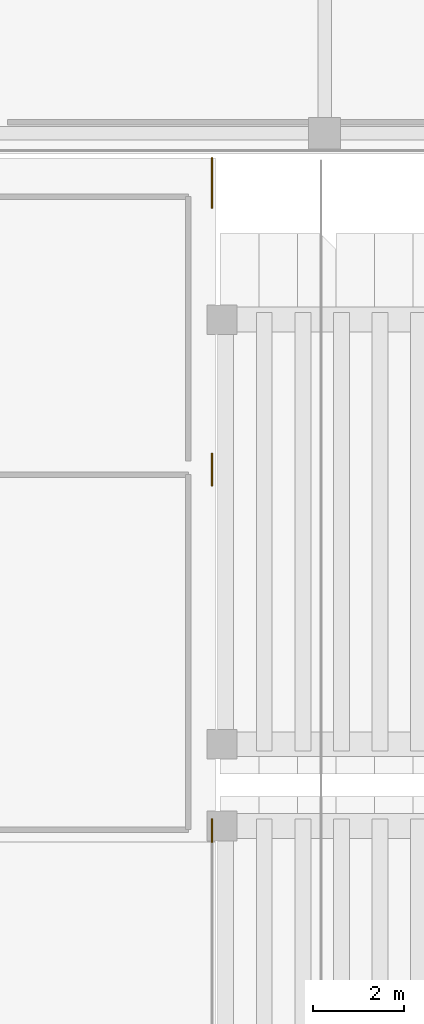
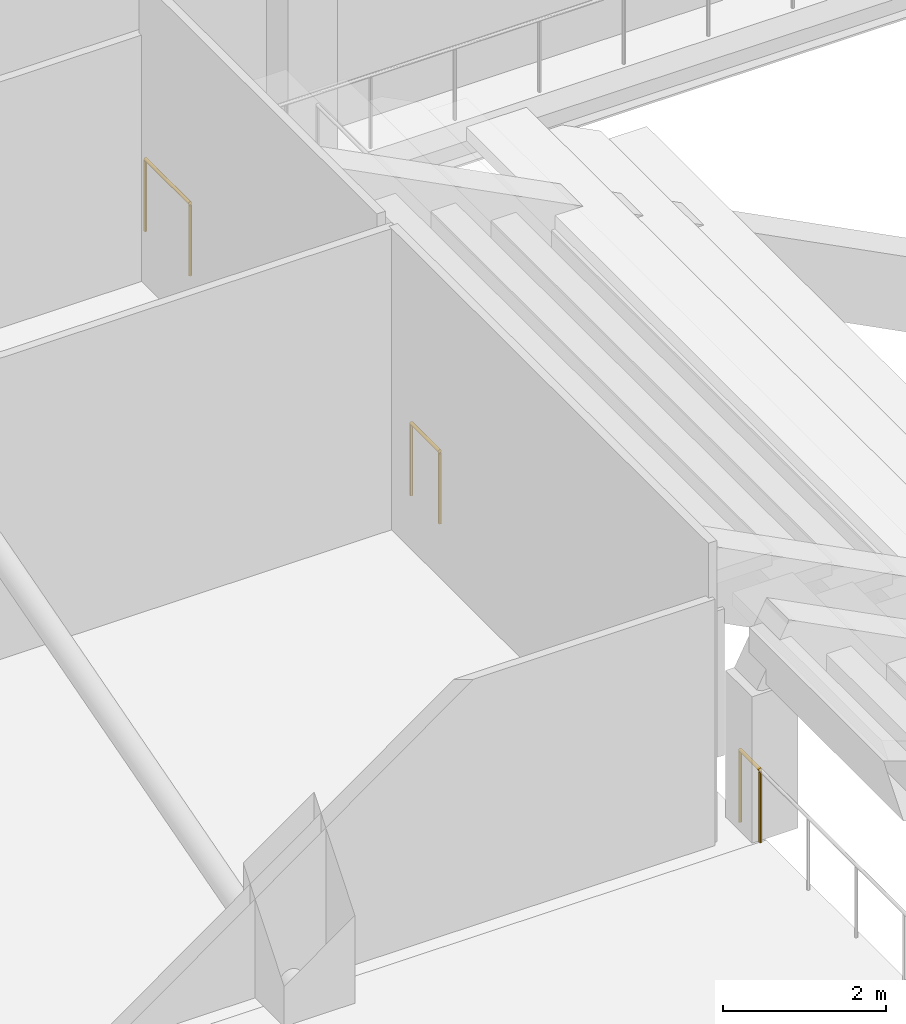
# One storey, part 62 of 74: 3 railings.
"""IFC4 building model written with IfcOpenShell, lengths in metres."""

from ifc_helpers import new_model, si_unit, direction, frame, origin, origin_2d, place, context, subcontext, project, spatial, circle, extrude, material, type_object, element, save


model = new_model("IFC4")

# Units and contexts
model_context = context("Model", 3, precision=1e-05, world=origin(), true_north=direction((0.0, 1.0)))
body_context = subcontext(model_context, "Body", "Model", "MODEL_VIEW")
ifc_project = project(units=[si_unit("LENGTHUNIT", "METRE"), si_unit("AREAUNIT", "SQUARE_METRE"), si_unit("VOLUMEUNIT", "CUBIC_METRE"), si_unit("PLANEANGLEUNIT", "RADIAN"), si_unit("MASSUNIT", "GRAM", prefix="KILO")], contexts=[model_context])

# Site, building, storey
site_placement = place(None, origin())
site = spatial("IfcSite", under=ifc_project, at=site_placement, CompositionType="ELEMENT")
building_placement = place(site_placement, origin())
building = spatial("IfcBuilding", under=site, at=building_placement, Name="Koshinbarg Plaza Stadium", CompositionType="ELEMENT")
storey_placement = place(building_placement, frame((0.0, 0.0, 15.0)))
storey = spatial("IfcBuildingStorey", under=building, at=storey_placement, Name="L03", CompositionType="ELEMENT", Elevation=15.0)

# Railings
ifc_material = material(Name="Toughened laminated glass and stainless steel sightline balustrade", Category="steel")
railing_type = type_object("IfcRailingType", Name="RL-BOWL-1100", PredefinedType="BALUSTRADE", material=ifc_material)
railing_1_placement = place(storey_placement, frame((61.1201171875, 126.955078125, 0.0)))
element("IfcRailing", 1, at=railing_1_placement, inside=storey, type_object=railing_type, Name="L03 deck edge safety balustrade 0232", PredefinedType="BALUSTRADE", context=body_context, shape_type="SweptSolid", body=[
    extrude(circle(Radius=0.02392578125, at=origin_2d()), frame((0.0, 0.0, 1.076171875), z_axis=(0.0, -1.0, 0.0), x_axis=(1.0, 0.0, 0.0)), (0.0, 0.0, 1.0), 1.094482421875),
    extrude(circle(Radius=0.02099609375, at=origin_2d()), origin(), (0.0, 0.0, 1.0), 1.052001953125),
    extrude(circle(Radius=0.02099609375, at=origin_2d()), frame((0.0, -1.094482421875, 0.0)), (0.0, 0.0, 1.0), 1.052001953125),
])
railing_2_placement = place(storey_placement, frame((61.1201171875, 120.447265625, 0.0)))
element("IfcRailing", 2, at=railing_2_placement, inside=storey, type_object=railing_type, Name="L03 deck edge safety balustrade 0233", PredefinedType="BALUSTRADE", context=body_context, shape_type="SweptSolid", body=[
    extrude(circle(Radius=0.02392578125, at=origin_2d()), frame((0.0, 0.0, 1.076171875), z_axis=(0.0, -1.0, 0.0), x_axis=(1.0, 0.0, 0.0)), (0.0, 0.0, 1.0), 0.697998046875),
    extrude(circle(Radius=0.02099609375, at=origin_2d()), origin(), (0.0, 0.0, 1.0), 1.052001953125),
    extrude(circle(Radius=0.02099609375, at=origin_2d()), frame((0.0, -0.697998046875, 0.0)), (0.0, 0.0, 1.0), 1.052001953125),
])
railing_3_placement = place(storey_placement, frame((61.1201171875, 112.398193359375, 0.0)))
element("IfcRailing", 3, at=railing_3_placement, inside=storey, type_object=railing_type, Name="L03 deck edge safety balustrade 0234", PredefinedType="BALUSTRADE", context=body_context, shape_type="SweptSolid", body=[
    extrude(circle(Radius=0.02392578125, at=origin_2d()), frame((0.0, 0.0, 1.076171875), z_axis=(0.0, -1.0, 0.0), x_axis=(1.0, 0.0, 0.0)), (0.0, 0.0, 1.0), 0.498291015625),
    extrude(circle(Radius=0.02099609375, at=origin_2d()), origin(), (0.0, 0.0, 1.0), 1.052001953125),
    extrude(circle(Radius=0.02099609375, at=origin_2d()), frame((0.0, -0.498291015625, 0.0)), (0.0, 0.0, 1.0), 1.052001953125),
])

save(model, "model.ifc")
